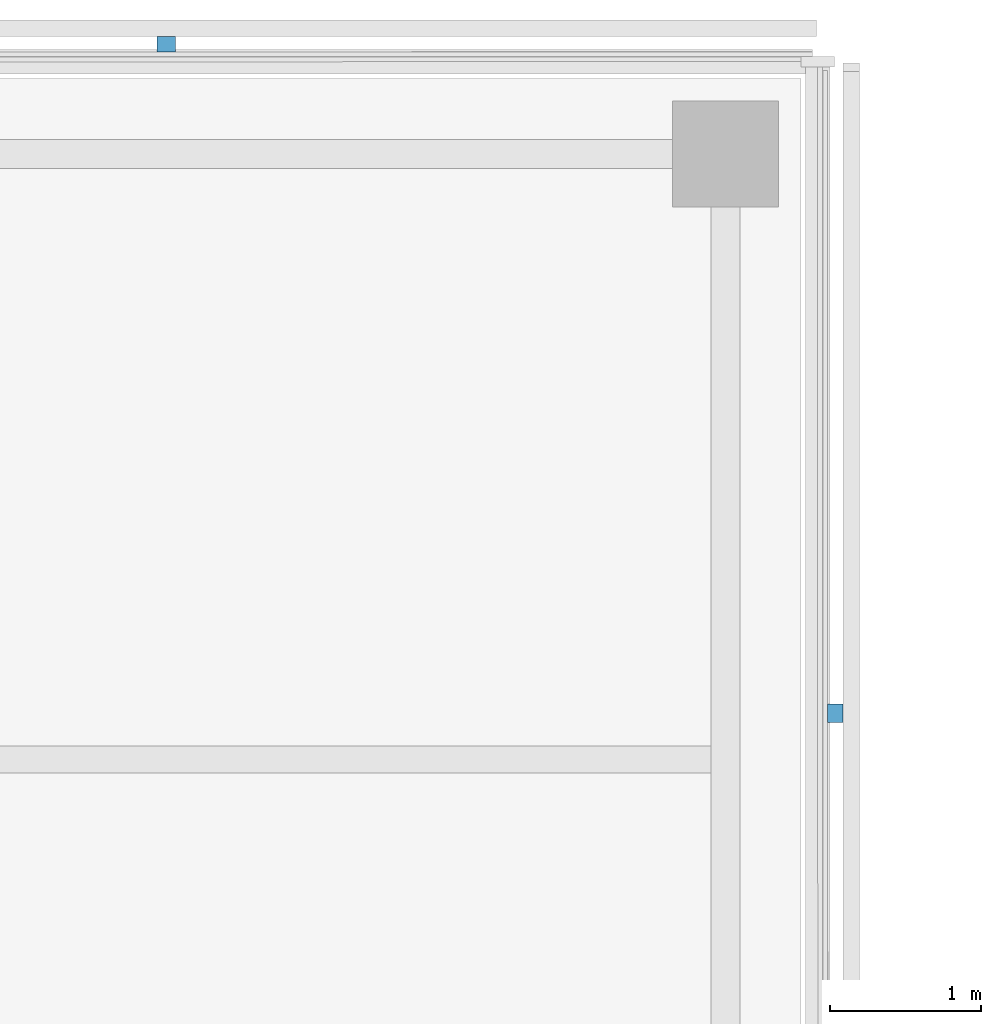
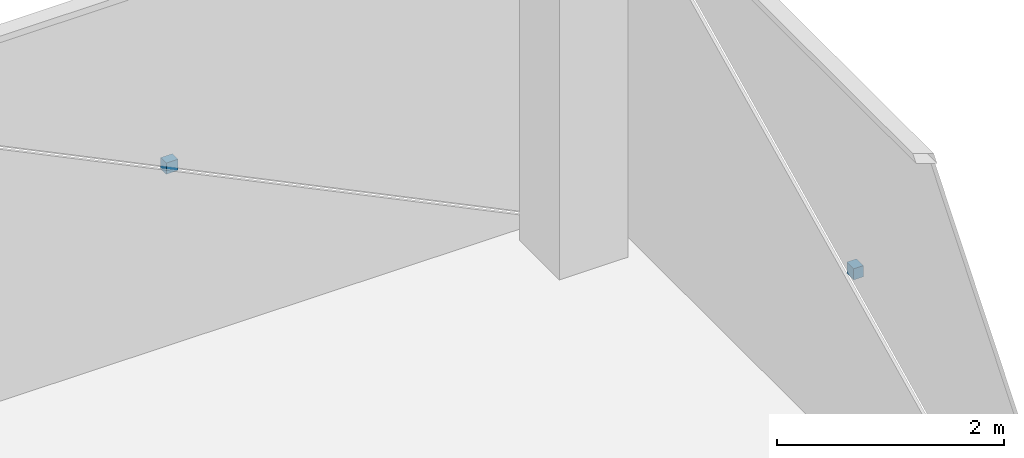
# One storey, part 20 of 22: 2 discrete accessories.
"""IFC4 building model written with IfcOpenShell, lengths in metres."""

from ifc_helpers import new_model, si_unit, direction, frame, origin, origin_2d, place, context, subcontext, project, spatial, rectangle, extrude, material, type_object, element, save


model = new_model("IFC4")

# Units and contexts
model_context = context("Model", 3, precision=1e-05, world=origin(), true_north=direction((0.0, 1.0)))
body_context = subcontext(model_context, "Body", "Model", "MODEL_VIEW")
ifc_project = project(units=[si_unit("LENGTHUNIT", "METRE"), si_unit("AREAUNIT", "SQUARE_METRE"), si_unit("VOLUMEUNIT", "CUBIC_METRE"), si_unit("PLANEANGLEUNIT", "RADIAN"), si_unit("MASSUNIT", "GRAM", prefix="KILO")], contexts=[model_context])

# Site, building, storey
site_placement = place(None, origin())
site = spatial("IfcSite", under=ifc_project, at=site_placement, CompositionType="ELEMENT")
building_placement = place(site_placement, origin())
building = spatial("IfcBuilding", under=site, at=building_placement, Name="Crosswind Convention Tower", CompositionType="ELEMENT")
storey_placement = place(building_placement, frame((0.0, 0.0, 142.10009765625)))
storey = spatial("IfcBuildingStorey", under=building, at=storey_placement, Name="L29", CompositionType="ELEMENT", Elevation=142.10009765625)

# Discrete accessories
ifc_material = material(Name="Stainless steel", Category="steel")
discrete_accessory_type = type_object("IfcDiscreteAccessoryType", Name="BAGUETTE BRACKET BK3", PredefinedType="BRACKET", material=ifc_material)
for number, where, z_axis, x_axis, name in (
    (1, (137.72607421875, 124.304931640625, 1.704833984375), (0.0, 0.0, 1.0), (0.0, 1.0, 0.0), "BK3 baguette bracket"),
    (2, (133.304931640625, 128.72607421875, 1.704833984375), (0.0, 0.0, 1.0), (-1.0, 0.0, 0.0), "BK3 baguette bracket"),
):
    element("IfcDiscreteAccessory", number, at=place(storey_placement, frame(where, z_axis=z_axis, x_axis=x_axis)), inside=storey, type_object=discrete_accessory_type, Name=name, PredefinedType="BRACKET", context=body_context, shape_type="SweptSolid", body=[
        extrude(rectangle(XDim=0.1201171875, YDim=0.10009765625, at=origin_2d()), origin(), (0.0, 0.0, 1.0), 0.1201171875),
    ])

save(model, "model.ifc")
